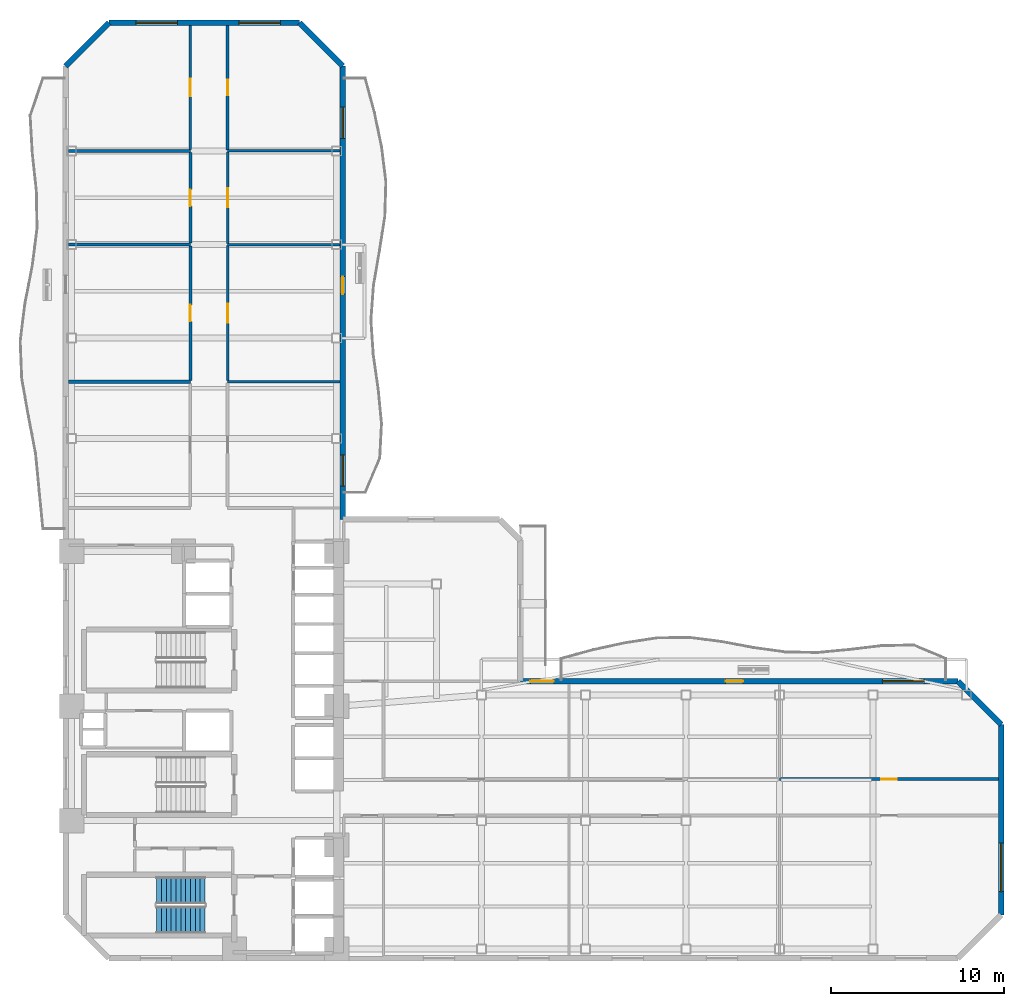
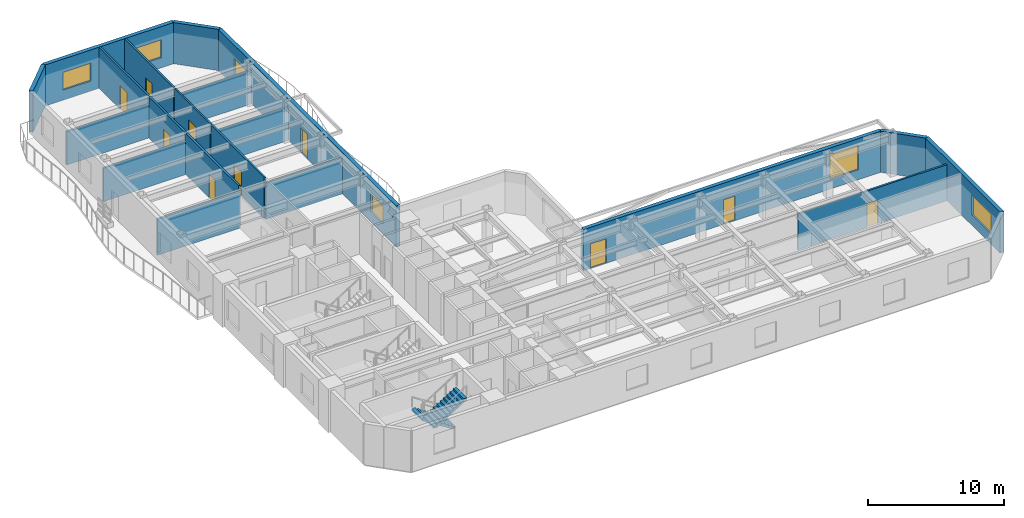
# One storey, part 6 of 11: 20 walls, 10 doors, 6 windows, 2 stair flights, 16 openings, 1 element without a shape of its own.
"""IFC4 building model written with IfcOpenShell, lengths in metres."""

import ifcopenshell
import ifcopenshell.guid

model = None  # the IFC model being written
_history = None  # IfcOwnerHistory: only IFC2X3 demands one
_inside = {}  # id of a spatial element -> (the spatial element, [elements in it])
_under = {}  # id of a project, library or spatial element -> (it, [spatial elements below it])
_declared = {}  # id of a project -> (the project, [libraries it declares])
_typed = {}  # id of a type object -> (the type object, [elements of that type])
_made_of = {}  # id of a material, layer set ... -> (it, [elements and type objects made of it])


def new_model(schema):
    """Start an empty IFC model of exactly this schema.

    Asked for "IFC4X3", IfcOpenShell would pick the latest addendum, in which some entities
    have other attributes; the version numbers below select the first issue.
    IFC2X3 requires an IfcOwnerHistory on every rooted entity: one is made here for all.
    """
    global model, _history
    if schema == "IFC4X3":
        model = ifcopenshell.file(schema_version=(4, 3, 0, 0))
    else:
        model = ifcopenshell.file(schema=schema)
    _inside.clear()
    _under.clear()
    _declared.clear()
    _typed.clear()
    _made_of.clear()
    _history = None
    if model.schema == "IFC2X3":
        org = make("IfcOrganization", Name="unknown")
        user = make(
            "IfcPersonAndOrganization",
            ThePerson=make("IfcPerson", FamilyName="unknown"),
            TheOrganization=org,
        )
        app = make(
            "IfcApplication",
            ApplicationDeveloper=org,
            Version="unknown",
            ApplicationFullName="unknown",
            ApplicationIdentifier="unknown",
        )
        _history = make(
            "IfcOwnerHistory",
            OwningUser=user,
            OwningApplication=app,
            ChangeAction="ADDED",
            CreationDate=0,
        )
    return model


def make(cls, **values):
    """One entity of the class cls with the attributes given. An attribute that is None is left unset."""
    return model.create_entity(
        cls, **{name: value for name, value in values.items() if value is not None}
    )


def rooted(cls, **values):
    """An entity with a GlobalId (a new one), such as an element, a storey or a relation."""
    return make(cls, GlobalId=ifcopenshell.guid.new(), OwnerHistory=_history, **values)


def si_unit(unit_type, name, prefix=None):
    """IfcSIUnit, for example si_unit("LENGTHUNIT", "METRE", prefix="MILLI")."""
    return make("IfcSIUnit", UnitType=unit_type, Prefix=prefix, Name=name)


def assignment(units):
    """IfcUnitAssignment: the units of a project."""
    return None if units is None else make("IfcUnitAssignment", Units=units)


def point(xyz):
    """IfcCartesianPoint."""
    return None if xyz is None else make("IfcCartesianPoint", Coordinates=xyz)


def direction(xyz):
    """IfcDirection."""
    return None if xyz is None else make("IfcDirection", DirectionRatios=xyz)


def frame(location, z_axis=None, x_axis=None):
    """IfcAxis2Placement3D, a coordinate frame: its origin and axes. An axis left out is left unset."""
    return make(
        "IfcAxis2Placement3D",
        Location=point(location),
        Axis=direction(z_axis),
        RefDirection=direction(x_axis),
    )


def frame_2d(location, x_axis=None):
    """IfcAxis2Placement2D, a coordinate frame in the plane: its origin and x axis."""
    return make(
        "IfcAxis2Placement2D", Location=point(location), RefDirection=direction(x_axis)
    )


def origin():
    """The frame at (0, 0, 0) with its axes left unset."""
    return frame((0.0, 0.0, 0.0))


def place(relative_to, where):
    """IfcLocalPlacement: puts the frame where relative to a parent placement (None: the world)."""
    return make(
        "IfcLocalPlacement", PlacementRelTo=relative_to, RelativePlacement=where
    )


def context(
    kind, dimensions, precision=None, world=None, true_north=None, identifier=None
):
    """IfcGeometricRepresentationContext, for example the 3D "Model" context."""
    return make(
        "IfcGeometricRepresentationContext",
        ContextIdentifier=identifier,
        ContextType=kind,
        CoordinateSpaceDimension=dimensions,
        Precision=precision,
        WorldCoordinateSystem=world,
        TrueNorth=true_north,
    )


def subcontext(parent, identifier, kind, view, scale=None):
    """IfcGeometricRepresentationSubContext, for example "Body" below "Model"."""
    return make(
        "IfcGeometricRepresentationSubContext",
        ContextIdentifier=identifier,
        ContextType=kind,
        ParentContext=parent,
        TargetScale=scale,
        TargetView=view,
    )


def project(units=None, contexts=None):
    """IfcProject with its units and contexts."""
    return rooted(
        "IfcProject",
        Name="project",
        RepresentationContexts=contexts,
        UnitsInContext=assignment(units),
    )


def spatial(cls, under=None, at=None, **own):
    """A site, building, storey or space (cls), placed at a placement, below another one or the project."""
    s = rooted(cls, ObjectPlacement=at, **own)
    if under is not None:
        _under.setdefault(under.id(), (under, []))[1].append(s)
    return s


def polyline(points):
    """IfcPolyline through the points."""
    return make("IfcPolyline", Points=[point(p) for p in points])


def profile(cls, at=None, kind="AREA", **sizes):
    """A parametric profile (cls). Its sizes go by their IFC names, for example OverallWidth=200.0."""
    return make(cls, ProfileType=kind, Position=at, **sizes)


def rectangle(**sizes):
    """IfcRectangleProfileDef."""
    return profile("IfcRectangleProfileDef", **sizes)


def outline(outer, holes=None, kind="AREA"):
    """IfcArbitraryClosedProfileDef: a profile drawn as a closed curve; with holes, ...WithVoids."""
    if holes is None:
        return make("IfcArbitraryClosedProfileDef", ProfileType=kind, OuterCurve=outer)
    return make(
        "IfcArbitraryProfileDefWithVoids",
        ProfileType=kind,
        OuterCurve=outer,
        InnerCurves=holes,
    )


def extrude(swept, where, along, depth):
    """IfcExtrudedAreaSolid: the profile swept, set in the frame where, extruded along a direction by depth."""
    return make(
        "IfcExtrudedAreaSolid",
        SweptArea=swept,
        Position=where,
        ExtrudedDirection=direction(along),
        Depth=depth,
    )


def shape(context_of_items, identifier, shape_type, items):
    """IfcShapeRepresentation: the items that make up one representation, for example the "Body"."""
    return make(
        "IfcShapeRepresentation",
        ContextOfItems=context_of_items,
        RepresentationIdentifier=identifier,
        RepresentationType=shape_type,
        Items=items,
    )


def material(Name=None, Category=None):
    """IfcMaterial."""
    return make("IfcMaterial", Name=Name, Category=Category)


def layer(
    of_material, thickness, ventilated=None, Name=None, Category=None, Priority=None
):
    """IfcMaterialLayer: one layer of a wall or slab, of a material (None: an air gap)."""
    return make(
        "IfcMaterialLayer",
        Material=of_material,
        LayerThickness=thickness,
        IsVentilated=ventilated,
        Name=Name,
        Category=Category,
        Priority=Priority,
    )


def layer_set(layers, Name=None):
    """IfcMaterialLayerSet."""
    return make("IfcMaterialLayerSet", MaterialLayers=layers, LayerSetName=Name)


def made_of(thing, what):
    """Note that an element or type object is made of a material, layer set ...; save() writes the relation."""
    if what is not None:
        _made_of.setdefault(what.id(), (what, []))[1].append(thing)
    return thing


def type_object(cls, material=None, **own):
    """A type object (cls), such as IfcWallType, which elements share."""
    return made_of(rooted(cls, **own), material)


def element(
    cls,
    number,
    at=None,
    inside=None,
    cuts=None,
    type_object=None,
    material=None,
    context=None,
    identifier="Body",
    shape_type=None,
    held_by="IfcProductDefinitionShape",
    body=None,
    shapes=None,
    **own,
):
    """One element of the class cls, such as IfcWall. Its Tag is "e" and its number.

    at: its placement. inside: the storey or other place that contains it. cuts: it is an
    opening in that element (IfcRelVoidsElement). A single representation is given by context,
    identifier, shape_type and body (its items); several are given by shapes. held_by: the class
    of the entity that holds the representations. save() writes the other relations.
    """
    e = rooted(cls, Tag="e%d" % number, ObjectPlacement=at, **own)
    if body is not None:
        shapes = [shape(context, identifier, shape_type, body)]
    if shapes is not None:
        e.Representation = make(held_by, Representations=shapes)
    if inside is not None:
        _inside.setdefault(inside.id(), (inside, []))[1].append(e)
    if cuts is not None:
        rooted(
            "IfcRelVoidsElement", RelatingBuildingElement=cuts, RelatedOpeningElement=e
        )
    if type_object is not None:
        _typed.setdefault(type_object.id(), (type_object, []))[1].append(e)
    return made_of(e, material)


def fill(opening, filler):
    """IfcRelFillsElement: the door or window that sits in an opening."""
    return rooted(
        "IfcRelFillsElement",
        RelatingOpeningElement=opening,
        RelatedBuildingElement=filler,
    )


def aggregate(whole, parts):
    """IfcRelAggregates: a whole, such as a stair, and the parts it consists of."""
    return rooted("IfcRelAggregates", RelatingObject=whole, RelatedObjects=parts)


def save(model, path):
    """Write the relations noted so far, then the file.

    IfcRelAggregates (storeys below a building ...), IfcRelContainedInSpatialStructure (elements
    in a storey), IfcRelDefinesByType, IfcRelAssociatesMaterial and IfcRelDeclares: one each for
    every whole, place, type object, material and project.
    """
    for whole, parts in _under.values():
        aggregate(whole, parts)
    for where, things in _inside.values():
        rooted(
            "IfcRelContainedInSpatialStructure",
            RelatedElements=things,
            RelatingStructure=where,
        )
    for kind, things in _typed.values():
        rooted("IfcRelDefinesByType", RelatedObjects=things, RelatingType=kind)
    for what, things in _made_of.values():
        rooted("IfcRelAssociatesMaterial", RelatedObjects=things, RelatingMaterial=what)
    for by, libraries in _declared.values():
        rooted("IfcRelDeclares", RelatingContext=by, RelatedDefinitions=libraries)
    model.write(path)


model = new_model("IFC4")

# Units and contexts
model_context = context("Model", 3, precision=1e-05, world=origin(), true_north=direction((0.0, 1.0)))
body_context = subcontext(model_context, "Body", "Model", "MODEL_VIEW")
ifc_project = project(units=[si_unit("LENGTHUNIT", "METRE"), si_unit("AREAUNIT", "SQUARE_METRE"), si_unit("VOLUMEUNIT", "CUBIC_METRE"), si_unit("PLANEANGLEUNIT", "RADIAN"), si_unit("MASSUNIT", "GRAM", prefix="KILO")], contexts=[model_context])

# Site, building, storey
site_placement = place(None, origin())
site = spatial("IfcSite", under=ifc_project, at=site_placement, CompositionType="ELEMENT")
building_placement = place(site_placement, origin())
building = spatial("IfcBuilding", under=site, at=building_placement, Name="Mawjaban Terraces University", CompositionType="ELEMENT")
storey_placement = place(building_placement, frame((0.0, 0.0, 77.800048828125)))
storey = spatial("IfcBuildingStorey", under=building, at=storey_placement, Name="L18", CompositionType="ELEMENT", Elevation=77.800048828125)

# Walls
ifc_material_1 = material(Name="Acoustic masonry blockwork", Category="masonry")
ifc_layer_1 = layer(ifc_material_1, 0.179931640625)
ifc_layer_set_1 = layer_set([ifc_layer_1], Name="Acoustic masonry blockwork")
wall_type_1 = type_object("IfcWallType", Name="AcousticStudioWall_180", PredefinedType="PARTITIONING", material=ifc_layer_set_1)
wall_1_placement = place(storey_placement, frame((29.199951171875, 33.280029296875, 0.0), z_axis=(0.0, 0.0, 1.0), x_axis=(-1.0, 0.0, 0.0)))
element("IfcWall", 1, at=wall_1_placement, inside=storey, type_object=wall_type_1, Name="L18 Departmental Office 8 Partition 8", PredefinedType="PARTITIONING", context=body_context, shape_type="SweptSolid", body=[
    extrude(rectangle(XDim=7.044921875, YDim=0.179931640625, at=frame_2d((3.5224609375, 0.0))), origin(), (0.0, 0.0, 1.0), 3.22705078125),
])
for number, where, z_axis, x_axis, name in (
    (2, (29.199951171875, 41.199951171875, 0.0), (0.0, 0.0, 1.0), (-1.0, 0.0, 0.0), "L18 Media Workshop 10 Partition 9"),
    (3, (29.199951171875, 46.60009765625, 0.0), (0.0, 0.0, 1.0), (-1.0, 0.0, 0.0), "L18 Design Studio 12 Partition 10"),
):
    element("IfcWall", number, at=place(storey_placement, frame(where, z_axis=z_axis, x_axis=x_axis)), inside=storey, type_object=wall_type_1, Name=name, PredefinedType="PARTITIONING", context=body_context, shape_type="SweptSolid", body=[
        extrude(rectangle(XDim=7.044921875, YDim=0.179931640625, at=frame_2d((3.5224609375, 0.0))), origin(), (0.0, 0.0, 1.0), 2.994873046875),
    ])

# Wall, opening, door
wall_2_placement = place(storey_placement, frame((29.199951171875, 41.114990234375, 0.0), z_axis=(0.0, 0.0, 1.0), x_axis=(0.0, -1.0, 0.0)))
wall_2 = element("IfcWall", 4, at=wall_2_placement, inside=storey, type_object=wall_type_1, Name="L18 North Academic Spine Corridor Partition 33", PredefinedType="PARTITIONING", context=body_context, shape_type="SweptSolid", body=[
    extrude(rectangle(XDim=7.75, YDim=0.179931640625, at=frame_2d((3.875, 0.0))), origin(), (0.0, 0.0, 1.0), 3.68994140625),
])
opening_1_placement = place(wall_2_placement, frame((3.39990234375, 0.0, 0.0)))
opening_1 = element("IfcOpeningElement", 5, at=opening_1_placement, cuts=wall_2, Name="Opening ID-095", PredefinedType="OPENING", context=body_context, shape_type="SweptSolid", body=[
    extrude(rectangle(XDim=0.949951171875, YDim=2.10009765625, at=frame_2d((0.47509765625, 1.050048828125))), frame((0.0, 0.099853515625, 0.0), z_axis=(0.0, -1.0, 0.0), x_axis=(1.0, 0.0, 0.0)), (0.0, 0.0, 1.0), 0.199951171875),
])
ifc_material_2 = material(Name="Powder-coated steel frame and solid acoustic timber leaf", Category="steel")
door_type_1 = type_object("IfcDoorType", Name="StudioDoor_950x2100", OperationType="NOTDEFINED", PredefinedType="DOOR", material=ifc_material_2)
door_1_placement = place(opening_1_placement, origin())
door_1 = element("IfcDoor", 6, at=door_1_placement, inside=storey, type_object=door_type_1, Name="L18 Media Workshop 10 Door", OperationType="SINGLE_SWING_LEFT", OverallHeight=2.10009765625, OverallWidth=0.949951171875, PredefinedType="DOOR", context=body_context, shape_type="SweptSolid", body=[
    extrude(rectangle(XDim=0.949951171875, YDim=2.10009765625, at=frame_2d((0.47509765625, 1.050048828125))), frame((0.0, 0.02490234375, 0.0), z_axis=(0.0, -1.0, 0.0), x_axis=(1.0, 0.0, 0.0)), (0.0, 0.0, 1.0), 0.050048828125),
])
fill(opening_1, door_1)

wall_3_placement = place(storey_placement, frame((29.199951171875, 46.514892578125, 0.0), z_axis=(0.0, 0.0, 1.0), x_axis=(0.0, -1.0, 0.0)))
wall_3 = element("IfcWall", 7, at=wall_3_placement, inside=storey, type_object=wall_type_1, Name="L18 North Academic Spine Corridor Partition 34", PredefinedType="PARTITIONING", context=body_context, shape_type="SweptSolid", body=[
    extrude(rectangle(XDim=5.22998046875, YDim=0.179931640625, at=frame_2d((2.614990234375, 0.0))), origin(), (0.0, 0.0, 1.0), 3.68994140625),
])
opening_2_placement = place(wall_3_placement, frame((2.139892578125, 0.0, 0.0)))
opening_2 = element("IfcOpeningElement", 8, at=opening_2_placement, cuts=wall_3, Name="Opening ID-095", PredefinedType="OPENING", context=body_context, shape_type="SweptSolid", body=[
    extrude(rectangle(XDim=0.949951171875, YDim=2.10009765625, at=frame_2d((0.47509765625, 1.050048828125))), frame((0.0, 0.099853515625, 0.0), z_axis=(0.0, -1.0, 0.0), x_axis=(1.0, 0.0, 0.0)), (0.0, 0.0, 1.0), 0.199951171875),
])
door_2_placement = place(opening_2_placement, origin())
door_2 = element("IfcDoor", 9, at=door_2_placement, inside=storey, type_object=door_type_1, Name="L18 Design Studio 12 Door", OperationType="SINGLE_SWING_LEFT", OverallHeight=2.10009765625, OverallWidth=0.949951171875, PredefinedType="DOOR", context=body_context, shape_type="SweptSolid", body=[
    extrude(rectangle(XDim=0.949951171875, YDim=2.10009765625, at=frame_2d((0.47509765625, 1.050048828125))), frame((0.0, 0.02490234375, 0.0), z_axis=(0.0, -1.0, 0.0), x_axis=(1.0, 0.0, 0.0)), (0.0, 0.0, 1.0), 0.050048828125),
])
fill(opening_2, door_2)

ifc_material_3 = material(Name="Fire-rated gypsum board on steel stud", Category="steel")
ifc_layer_2 = layer(ifc_material_3, 0.159912109375)
ifc_layer_set_2 = layer_set([ifc_layer_2], Name="Fire-rated gypsum board on steel stud")
wall_type_2 = type_object("IfcWallType", Name="CorridorPartition_160", PredefinedType="PARTITIONING", material=ifc_layer_set_2)
wall_4_placement = place(storey_placement, frame((75.844970703125, 10.35009765625, 0.0), z_axis=(0.0, 0.0, 1.0), x_axis=(-1.0, 0.0, 0.0)))
wall_4 = element("IfcWall", 10, at=wall_4_placement, inside=storey, type_object=wall_type_2, Name="L18 East Academic Spine Corridor Partition 26", PredefinedType="PARTITIONING", context=body_context, shape_type="SweptSolid", body=[
    extrude(rectangle(XDim=12.64501953125, YDim=0.159912109375, at=frame_2d((6.322509765625, 0.0))), origin(), (0.0, 0.0, 1.0), 3.22705078125),
])
opening_3_placement = place(wall_4_placement, frame((5.8720703125, 0.0, 0.0)))
opening_3 = element("IfcOpeningElement", 11, at=opening_3_placement, cuts=wall_4, Name="Opening ID-090", PredefinedType="OPENING", context=body_context, shape_type="SweptSolid", body=[
    extrude(rectangle(XDim=0.89990234375, YDim=2.10009765625, at=frame_2d((0.449951171875, 1.050048828125))), frame((0.0, 0.08984375, 0.0), z_axis=(0.0, -1.0, 0.0), x_axis=(1.0, 0.0, 0.0)), (0.0, 0.0, 1.0), 0.179931640625),
])
door_type_2 = type_object("IfcDoorType", Name="OfficeDoor_900x2100", OperationType="NOTDEFINED", PredefinedType="DOOR", material=ifc_material_2)
door_3_placement = place(opening_3_placement, origin())
door_3 = element("IfcDoor", 12, at=door_3_placement, inside=storey, type_object=door_type_2, Name="L18 Faculty Office 7 Door", OperationType="SINGLE_SWING_RIGHT", OverallHeight=2.10009765625, OverallWidth=0.89990234375, PredefinedType="DOOR", context=body_context, shape_type="SweptSolid", body=[
    extrude(rectangle(XDim=0.89990234375, YDim=2.10009765625, at=frame_2d((0.449951171875, 1.050048828125))), frame((0.0, 0.02490234375, 0.0), z_axis=(0.0, -1.0, 0.0), x_axis=(1.0, 0.0, 0.0)), (0.0, 0.0, 1.0), 0.050048828125),
])
fill(opening_3, door_3)

wall_5_placement = place(storey_placement, frame((29.199951171875, 53.844970703125, 0.0), z_axis=(0.0, 0.0, 1.0), x_axis=(0.0, -1.0, 0.0)))
wall_5 = element("IfcWall", 13, at=wall_5_placement, inside=storey, type_object=wall_type_2, Name="L18 North Academic Spine Corridor Partition 35", PredefinedType="PARTITIONING", context=body_context, shape_type="SweptSolid", body=[
    extrude(rectangle(XDim=7.159912109375, YDim=0.159912109375, at=frame_2d((3.580078125, 0.0))), origin(), (0.0, 0.0, 1.0), 3.68994140625),
])
opening_4_placement = place(wall_5_placement, frame((3.080078125, 0.0, 0.0)))
opening_4 = element("IfcOpeningElement", 14, at=opening_4_placement, cuts=wall_5, Name="Opening ID-100", PredefinedType="OPENING", context=body_context, shape_type="SweptSolid", body=[
    extrude(rectangle(XDim=1.0, YDim=2.10009765625, at=frame_2d((0.5, 1.050048828125))), frame((0.0, 0.08984375, 0.0), z_axis=(0.0, -1.0, 0.0), x_axis=(1.0, 0.0, 0.0)), (0.0, 0.0, 1.0), 0.179931640625),
])
door_type_3 = type_object("IfcDoorType", Name="ClassroomDoor_1000x2100", OperationType="NOTDEFINED", PredefinedType="DOOR", material=ifc_material_2)
door_4_placement = place(opening_4_placement, origin())
door_4 = element("IfcDoor", 15, at=door_4_placement, inside=storey, type_object=door_type_3, Name="L18 Classroom 14 Door", OperationType="SINGLE_SWING_LEFT", OverallHeight=2.10009765625, OverallWidth=1.0, PredefinedType="DOOR", context=body_context, shape_type="SweptSolid", body=[
    extrude(rectangle(XDim=1.0, YDim=2.10009765625, at=frame_2d((0.5, 1.050048828125))), frame((0.0, 0.02490234375, 0.0), z_axis=(0.0, -1.0, 0.0), x_axis=(1.0, 0.0, 0.0)), (0.0, 0.0, 1.0), 0.050048828125),
])
fill(opening_4, door_4)

wall_6_placement = place(storey_placement, frame((31.35009765625, 46.66796875, 0.0), z_axis=(0.0, 0.0, 1.0), x_axis=(0.0, 1.0, 0.0)))
wall_6 = element("IfcWall", 16, at=wall_6_placement, inside=storey, type_object=wall_type_2, Name="L18 North Academic Spine Corridor Partition 39", PredefinedType="PARTITIONING", context=body_context, shape_type="SweptSolid", body=[
    extrude(rectangle(XDim=7.177001953125, YDim=0.159912109375, at=frame_2d((3.58837890625, 0.0))), origin(), (0.0, 0.0, 1.0), 3.68994140625),
])
opening_5_placement = place(wall_6_placement, frame((3.137939453125, 0.0, 0.0)))
opening_5 = element("IfcOpeningElement", 17, at=opening_5_placement, cuts=wall_6, Name="Opening ID-090", PredefinedType="OPENING", context=body_context, shape_type="SweptSolid", body=[
    extrude(rectangle(XDim=0.89990234375, YDim=2.10009765625, at=frame_2d((0.449951171875, 1.050048828125))), frame((0.0, 0.08984375, 0.0), z_axis=(0.0, -1.0, 0.0), x_axis=(1.0, 0.0, 0.0)), (0.0, 0.0, 1.0), 0.179931640625),
])
door_5_placement = place(opening_5_placement, origin())
door_5 = element("IfcDoor", 18, at=door_5_placement, inside=storey, type_object=door_type_2, Name="L18 Academic Counseling Room 15 Door", OperationType="SINGLE_SWING_RIGHT", OverallHeight=2.10009765625, OverallWidth=0.89990234375, PredefinedType="DOOR", context=body_context, shape_type="SweptSolid", body=[
    extrude(rectangle(XDim=0.89990234375, YDim=2.10009765625, at=frame_2d((0.449951171875, 1.050048828125))), frame((0.0, 0.02490234375, 0.0), z_axis=(0.0, -1.0, 0.0), x_axis=(1.0, 0.0, 0.0)), (0.0, 0.0, 1.0), 0.050048828125),
])
fill(opening_5, door_5)

# Wall, opening, window
ifc_material_4 = material(Name="Insulated terracotta rainscreen on concrete backup C40/50", Category="masonry")
ifc_layer_3 = layer(ifc_material_4, 0.320068359375)
ifc_layer_set_3 = layer_set([ifc_layer_3], Name="Insulated terracotta rainscreen on concrete backup C40/50")
wall_type_3 = type_object("IfcWallType", Name="ExtTerracottaWall_320", PredefinedType="SOLIDWALL", material=ifc_layer_set_3)
wall_7_placement = place(storey_placement, frame((76.0, 2.5, 0.0), z_axis=(0.0, 0.0, 1.0), x_axis=(0.0, 1.0, 0.0)))
wall_7 = element("IfcWall", 19, at=wall_7_placement, inside=storey, type_object=wall_type_3, Name="L18 Exterior Terracotta Wall 3", PredefinedType="SOLIDWALL", context=body_context, shape_type="SweptSolid", body=[
    extrude(rectangle(XDim=11.0, YDim=0.320068359375, at=frame_2d((5.5, 0.0))), origin(), (0.0, 0.0, 1.0), 3.68994140625),
])
opening_6_placement = place(wall_7_placement, frame((1.35009765625, 0.0, 0.89990234375)))
opening_6 = element("IfcOpeningElement", 20, at=opening_6_placement, cuts=wall_7, Name="Opening W-09", PredefinedType="OPENING", context=body_context, shape_type="SweptSolid", body=[
    extrude(rectangle(XDim=2.800048828125, YDim=1.800048828125, at=frame_2d((1.39990234375, 0.89990234375))), frame((0.0, 0.169921875, 0.0), z_axis=(0.0, -1.0, 0.0), x_axis=(1.0, 0.0, 0.0)), (0.0, 0.0, 1.0), 0.340087890625),
])
ifc_material_5 = material(Name="Low-E solar-control double glazing in thermally broken aluminium frame", Category="aluminium")
window_type_1 = type_object("IfcWindowType", Name="Win_2800x1800", PartitioningType="SINGLE_PANEL", PredefinedType="WINDOW", material=ifc_material_5)
window_1_placement = place(opening_6_placement, origin())
window_1 = element("IfcWindow", 21, at=window_1_placement, inside=storey, type_object=window_type_1, Name="L18 Facade Window 3.1", OverallHeight=1.800048828125, OverallWidth=2.800048828125, PartitioningType="SINGLE_PANEL", PredefinedType="WINDOW", context=body_context, shape_type="SweptSolid", body=[
    extrude(rectangle(XDim=2.800048828125, YDim=1.800048828125, at=frame_2d((1.39990234375, 0.89990234375))), frame((0.0, 0.030029296875, 0.0), z_axis=(0.0, -1.0, 0.0), x_axis=(1.0, 0.0, 0.0)), (0.0, 0.0, 1.0), 0.06005859375),
])
fill(opening_6, window_1)

# Wall
wall_8_placement = place(storey_placement, frame((76.0, 13.5, 0.0), z_axis=(0.0, 0.0, 1.0), x_axis=(-0.707106781187, 0.707106781187, 0.0)))
element("IfcWall", 22, at=wall_8_placement, inside=storey, type_object=wall_type_3, Name="L18 Exterior Terracotta Wall 4", PredefinedType="SOLIDWALL", context=body_context, shape_type="SweptSolid", body=[
    extrude(rectangle(XDim=3.53564453125, YDim=0.320068359375, at=frame_2d((1.767822265625, 0.0))), origin(), (0.0, 0.0, 1.0), 3.68994140625),
])

# Wall, openings, doors, window
wall_9_placement = place(storey_placement, frame((73.5, 16.0, 0.0), z_axis=(0.0, 0.0, 1.0), x_axis=(-1.0, 0.0, 0.0)))
wall_9 = element("IfcWall", 23, at=wall_9_placement, inside=storey, type_object=wall_type_3, Name="L18 Exterior Terracotta Wall 5", PredefinedType="SOLIDWALL", context=body_context, shape_type="SweptSolid", body=[
    extrude(rectangle(XDim=25.25, YDim=0.320068359375, at=frame_2d((12.625, 0.0))), origin(), (0.0, 0.0, 1.0), 3.68994140625),
])
opening_7_placement = place(wall_9_placement, frame((12.39990234375, 0.0, 0.0)))
opening_7 = element("IfcOpeningElement", 24, at=opening_7_placement, cuts=wall_9, Name="Opening BD-100", PredefinedType="OPENING", context=body_context, shape_type="SweptSolid", body=[
    extrude(rectangle(XDim=1.0, YDim=2.199951171875, at=frame_2d((0.5, 1.10009765625))), frame((0.0, 0.169921875, 0.0), z_axis=(0.0, -1.0, 0.0), x_axis=(1.0, 0.0, 0.0)), (0.0, 0.0, 1.0), 0.340087890625),
])
opening_8_placement = place(wall_9_placement, frame((23.324951171875, 0.0, 0.0)))
opening_8 = element("IfcOpeningElement", 25, at=opening_8_placement, cuts=wall_9, Name="Opening TD-135", PredefinedType="OPENING", context=body_context, shape_type="SweptSolid", body=[
    extrude(rectangle(XDim=1.35009765625, YDim=2.199951171875, at=frame_2d((0.675048828125, 1.10009765625))), frame((0.0, 0.169921875, 0.0), z_axis=(0.0, -1.0, 0.0), x_axis=(1.0, 0.0, 0.0)), (0.0, 0.0, 1.0), 0.340087890625),
])
opening_9_placement = place(wall_9_placement, frame((1.9560546875, 0.0, 0.89990234375)))
opening_9 = element("IfcOpeningElement", 26, at=opening_9_placement, cuts=wall_9, Name="Opening W-11", PredefinedType="OPENING", context=body_context, shape_type="SweptSolid", body=[
    extrude(rectangle(XDim=2.39990234375, YDim=2.199951171875, at=frame_2d((1.199951171875, 1.10009765625))), frame((0.0, 0.169921875, 0.0), z_axis=(0.0, -1.0, 0.0), x_axis=(1.0, 0.0, 0.0)), (0.0, 0.0, 1.0), 0.340087890625),
])
ifc_material_6 = material(Name="Thermally broken anodised aluminium and laminated safety glass", Category="aluminium")
door_type_4 = type_object("IfcDoorType", Name="BalconyGlazedDoor_1000x2200", OperationType="NOTDEFINED", PredefinedType="DOOR", material=ifc_material_6)
door_6_placement = place(opening_7_placement, origin())
door_6 = element("IfcDoor", 27, at=door_6_placement, inside=storey, type_object=door_type_4, Name="L18 Balcony Access Door inner_north", OperationType="SINGLE_SWING_LEFT", OverallHeight=2.199951171875, OverallWidth=1.0, PredefinedType="DOOR", context=body_context, shape_type="SweptSolid", body=[
    extrude(rectangle(XDim=1.0, YDim=2.199951171875, at=frame_2d((0.5, 1.10009765625))), frame((0.0, 0.02490234375, 0.0), z_axis=(0.0, -1.0, 0.0), x_axis=(1.0, 0.0, 0.0)), (0.0, 0.0, 1.0), 0.050048828125),
])
fill(opening_7, door_6)
door_type_5 = type_object("IfcDoorType", Name="TerraceGlazedDoor_1350x2200", OperationType="NOTDEFINED", PredefinedType="DOOR", material=ifc_material_6)
door_7_placement = place(opening_8_placement, origin())
door_7 = element("IfcDoor", 28, at=door_7_placement, inside=storey, type_object=door_type_5, Name="L18 Terrace Access Door TER-L18-CLIMB", OperationType="SINGLE_SWING_RIGHT", OverallHeight=2.199951171875, OverallWidth=1.35009765625, PredefinedType="DOOR", context=body_context, shape_type="SweptSolid", body=[
    extrude(rectangle(XDim=1.35009765625, YDim=2.199951171875, at=frame_2d((0.675048828125, 1.10009765625))), frame((0.0, 0.02490234375, 0.0), z_axis=(0.0, -1.0, 0.0), x_axis=(1.0, 0.0, 0.0)), (0.0, 0.0, 1.0), 0.050048828125),
])
fill(opening_8, door_7)
window_type_2 = type_object("IfcWindowType", Name="Win_2400x2200", PartitioningType="SINGLE_PANEL", PredefinedType="WINDOW", material=ifc_material_5)
window_2_placement = place(opening_9_placement, origin())
window_2 = element("IfcWindow", 29, at=window_2_placement, inside=storey, type_object=window_type_2, Name="L18 Facade Window 5.1", OverallHeight=2.199951171875, OverallWidth=2.39990234375, PartitioningType="SINGLE_PANEL", PredefinedType="WINDOW", context=body_context, shape_type="SweptSolid", body=[
    extrude(rectangle(XDim=2.39990234375, YDim=2.199951171875, at=frame_2d((1.199951171875, 1.10009765625))), frame((0.0, 0.030029296875, 0.0), z_axis=(0.0, -1.0, 0.0), x_axis=(1.0, 0.0, 0.0)), (0.0, 0.0, 1.0), 0.06005859375),
])
fill(opening_9, window_2)

# Wall, openings, door, windows
wall_10_placement = place(storey_placement, frame((38.0, 25.3369140625, 0.0), z_axis=(0.0, 0.0, 1.0), x_axis=(0.0, 1.0, 0.0)))
wall_10 = element("IfcWall", 30, at=wall_10_placement, inside=storey, type_object=wall_type_3, Name="L18 Exterior Terracotta Wall 9", PredefinedType="SOLIDWALL", context=body_context, shape_type="SweptSolid", body=[
    extrude(rectangle(XDim=26.1630859375, YDim=0.320068359375, at=frame_2d((13.08154296875, 0.0))), origin(), (0.0, 0.0, 1.0), 3.68994140625),
])
opening_10_placement = place(wall_10_placement, frame((13.008056640625, 0.0, 0.0)))
opening_10 = element("IfcOpeningElement", 31, at=opening_10_placement, cuts=wall_10, Name="Opening BD-100", PredefinedType="OPENING", context=body_context, shape_type="SweptSolid", body=[
    extrude(rectangle(XDim=1.0, YDim=2.199951171875, at=frame_2d((0.5, 1.10009765625))), frame((0.0, 0.169921875, 0.0), z_axis=(0.0, -1.0, 0.0), x_axis=(1.0, 0.0, 0.0)), (0.0, 0.0, 1.0), 0.340087890625),
])
opening_11_placement = place(wall_10_placement, frame((1.919921875, 0.0, 0.89990234375)))
opening_11 = element("IfcOpeningElement", 32, at=opening_11_placement, cuts=wall_10, Name="Opening W-03", PredefinedType="OPENING", context=body_context, shape_type="SweptSolid", body=[
    extrude(rectangle(XDim=1.800048828125, YDim=1.60009765625, at=frame_2d((0.89990234375, 0.800048828125))), frame((0.0, 0.169921875, 0.0), z_axis=(0.0, -1.0, 0.0), x_axis=(1.0, 0.0, 0.0)), (0.0, 0.0, 1.0), 0.340087890625),
])
opening_12_placement = place(wall_10_placement, frame((21.992919921875, 0.0, 0.89990234375)))
opening_12 = element("IfcOpeningElement", 33, at=opening_12_placement, cuts=wall_10, Name="Opening W-03", PredefinedType="OPENING", context=body_context, shape_type="SweptSolid", body=[
    extrude(rectangle(XDim=1.800048828125, YDim=1.60009765625, at=frame_2d((0.89990234375, 0.800048828125))), frame((0.0, 0.169921875, 0.0), z_axis=(0.0, -1.0, 0.0), x_axis=(1.0, 0.0, 0.0)), (0.0, 0.0, 1.0), 0.340087890625),
])
door_8_placement = place(opening_10_placement, origin())
door_8 = element("IfcDoor", 34, at=door_8_placement, inside=storey, type_object=door_type_4, Name="L18 Balcony Access Door inner_east", OperationType="SINGLE_SWING_LEFT", OverallHeight=2.199951171875, OverallWidth=1.0, PredefinedType="DOOR", context=body_context, shape_type="SweptSolid", body=[
    extrude(rectangle(XDim=1.0, YDim=2.199951171875, at=frame_2d((0.5, 1.10009765625))), frame((0.0, 0.02490234375, 0.0), z_axis=(0.0, -1.0, 0.0), x_axis=(1.0, 0.0, 0.0)), (0.0, 0.0, 1.0), 0.050048828125),
])
fill(opening_10, door_8)
window_type_3 = type_object("IfcWindowType", Name="Win_1800x1600", PartitioningType="SINGLE_PANEL", PredefinedType="WINDOW", material=ifc_material_5)
window_3_placement = place(opening_11_placement, origin())
window_3 = element("IfcWindow", 35, at=window_3_placement, inside=storey, type_object=window_type_3, Name="L18 Facade Window 9.1", OverallHeight=1.60009765625, OverallWidth=1.800048828125, PartitioningType="SINGLE_PANEL", PredefinedType="WINDOW", context=body_context, shape_type="SweptSolid", body=[
    extrude(rectangle(XDim=1.800048828125, YDim=1.60009765625, at=frame_2d((0.89990234375, 0.800048828125))), frame((0.0, 0.030029296875, 0.0), z_axis=(0.0, -1.0, 0.0), x_axis=(1.0, 0.0, 0.0)), (0.0, 0.0, 1.0), 0.06005859375),
])
fill(opening_11, window_3)
window_4_placement = place(opening_12_placement, origin())
window_4 = element("IfcWindow", 36, at=window_4_placement, inside=storey, type_object=window_type_3, Name="L18 Facade Window 9.4", OverallHeight=1.60009765625, OverallWidth=1.800048828125, PartitioningType="SINGLE_PANEL", PredefinedType="WINDOW", context=body_context, shape_type="SweptSolid", body=[
    extrude(rectangle(XDim=1.800048828125, YDim=1.60009765625, at=frame_2d((0.89990234375, 0.800048828125))), frame((0.0, 0.030029296875, 0.0), z_axis=(0.0, -1.0, 0.0), x_axis=(1.0, 0.0, 0.0)), (0.0, 0.0, 1.0), 0.06005859375),
])
fill(opening_12, window_4)

# Wall
wall_11_placement = place(storey_placement, frame((38.0, 51.5, 0.0), z_axis=(0.0, 0.0, 1.0), x_axis=(-0.707106781187, 0.707106781187, 0.0)))
element("IfcWall", 37, at=wall_11_placement, inside=storey, type_object=wall_type_3, Name="L18 Exterior Terracotta Wall 10", PredefinedType="SOLIDWALL", context=body_context, shape_type="SweptSolid", body=[
    extrude(rectangle(XDim=3.53564453125, YDim=0.320068359375, at=frame_2d((1.767822265625, 0.0))), origin(), (0.0, 0.0, 1.0), 3.68994140625),
])

# Wall, openings, windows
wall_12_placement = place(storey_placement, frame((35.5, 54.0, 0.0), z_axis=(0.0, 0.0, 1.0), x_axis=(-1.0, 0.0, 0.0)))
wall_12 = element("IfcWall", 38, at=wall_12_placement, inside=storey, type_object=wall_type_3, Name="L18 Exterior Terracotta Wall 11", PredefinedType="SOLIDWALL", context=body_context, shape_type="SweptSolid", body=[
    extrude(rectangle(XDim=11.0, YDim=0.320068359375, at=frame_2d((5.5, 0.0))), origin(), (0.0, 0.0, 1.0), 3.68994140625),
])
opening_13_placement = place(wall_12_placement, frame((1.10009765625, 0.0, 0.89990234375)))
opening_13 = element("IfcOpeningElement", 39, at=opening_13_placement, cuts=wall_12, Name="Opening W-05", PredefinedType="OPENING", context=body_context, shape_type="SweptSolid", body=[
    extrude(rectangle(XDim=2.39990234375, YDim=1.60009765625, at=frame_2d((1.199951171875, 0.800048828125))), frame((0.0, 0.169921875, 0.0), z_axis=(0.0, -1.0, 0.0), x_axis=(1.0, 0.0, 0.0)), (0.0, 0.0, 1.0), 0.340087890625),
])
opening_14_placement = place(wall_12_placement, frame((7.050048828125, 0.0, 0.89990234375)))
opening_14 = element("IfcOpeningElement", 40, at=opening_14_placement, cuts=wall_12, Name="Opening W-05", PredefinedType="OPENING", context=body_context, shape_type="SweptSolid", body=[
    extrude(rectangle(XDim=2.39990234375, YDim=1.60009765625, at=frame_2d((1.199951171875, 0.800048828125))), frame((0.0, 0.169921875, 0.0), z_axis=(0.0, -1.0, 0.0), x_axis=(1.0, 0.0, 0.0)), (0.0, 0.0, 1.0), 0.340087890625),
])
window_type_4 = type_object("IfcWindowType", Name="Win_2400x1600", PartitioningType="SINGLE_PANEL", PredefinedType="WINDOW", material=ifc_material_5)
window_5_placement = place(opening_13_placement, origin())
window_5 = element("IfcWindow", 41, at=window_5_placement, inside=storey, type_object=window_type_4, Name="L18 Facade Window 11.1", OverallHeight=1.60009765625, OverallWidth=2.39990234375, PartitioningType="SINGLE_PANEL", PredefinedType="WINDOW", context=body_context, shape_type="SweptSolid", body=[
    extrude(rectangle(XDim=2.39990234375, YDim=1.60009765625, at=frame_2d((1.199951171875, 0.800048828125))), frame((0.0, 0.030029296875, 0.0), z_axis=(0.0, -1.0, 0.0), x_axis=(1.0, 0.0, 0.0)), (0.0, 0.0, 1.0), 0.06005859375),
])
fill(opening_13, window_5)
window_6_placement = place(opening_14_placement, origin())
window_6 = element("IfcWindow", 42, at=window_6_placement, inside=storey, type_object=window_type_4, Name="L18 Facade Window 11.2", OverallHeight=1.60009765625, OverallWidth=2.39990234375, PartitioningType="SINGLE_PANEL", PredefinedType="WINDOW", context=body_context, shape_type="SweptSolid", body=[
    extrude(rectangle(XDim=2.39990234375, YDim=1.60009765625, at=frame_2d((1.199951171875, 0.800048828125))), frame((0.0, 0.030029296875, 0.0), z_axis=(0.0, -1.0, 0.0), x_axis=(1.0, 0.0, 0.0)), (0.0, 0.0, 1.0), 0.06005859375),
])
fill(opening_14, window_6)

# Walls
wall_13_placement = place(storey_placement, frame((24.5, 54.0, 0.0), z_axis=(0.0, 0.0, 1.0), x_axis=(-0.707106781187, -0.707106781187, 0.0)))
element("IfcWall", 43, at=wall_13_placement, inside=storey, type_object=wall_type_3, Name="L18 Exterior Terracotta Wall 12", PredefinedType="SOLIDWALL", context=body_context, shape_type="SweptSolid", body=[
    extrude(rectangle(XDim=3.53564453125, YDim=0.320068359375, at=frame_2d((1.767822265625, 0.0))), origin(), (0.0, 0.0, 1.0), 3.68994140625),
])
ifc_material_7 = material(Name="Moisture-resistant gypsum board on steel stud", Category="steel")
ifc_layer_4 = layer(ifc_material_7, 0.14501953125)
ifc_layer_set_4 = layer_set([ifc_layer_4], Name="Moisture-resistant gypsum board on steel stud")
wall_type_4 = type_object("IfcWallType", Name="LabPartition_145", PredefinedType="PARTITIONING", material=ifc_layer_set_4)
wall_14_placement = place(storey_placement, frame((37.844970703125, 33.280029296875, 0.0), z_axis=(0.0, 0.0, 1.0), x_axis=(-1.0, 0.0, 0.0)))
element("IfcWall", 44, at=wall_14_placement, inside=storey, type_object=wall_type_4, Name="L18 Quiet Reading Room 9 Partition 15", PredefinedType="PARTITIONING", context=body_context, shape_type="SweptSolid", body=[
    extrude(rectangle(XDim=6.494873046875, YDim=0.14501953125, at=frame_2d((3.24755859375, 0.0))), origin(), (0.0, 0.0, 1.0), 3.22705078125),
])
for number, where, z_axis, x_axis, name in (
    (45, (37.844970703125, 41.199951171875, 0.0), (0.0, 0.0, 1.0), (-1.0, 0.0, 0.0), "L18 Teaching Laboratory 11 Partition 16"),
    (46, (37.844970703125, 46.60009765625, 0.0), (0.0, 0.0, 1.0), (-1.0, 0.0, 0.0), "L18 Computational Laboratory 13 Partition 17"),
):
    element("IfcWall", number, at=place(storey_placement, frame(where, z_axis=z_axis, x_axis=x_axis)), inside=storey, type_object=wall_type_4, Name=name, PredefinedType="PARTITIONING", context=body_context, shape_type="SweptSolid", body=[
        extrude(rectangle(XDim=6.494873046875, YDim=0.14501953125, at=frame_2d((3.24755859375, 0.0))), origin(), (0.0, 0.0, 1.0), 2.994873046875),
    ])

# Wall, opening, door
wall_15_placement = place(storey_placement, frame((31.35009765625, 33.347900390625, 0.0), z_axis=(0.0, 0.0, 1.0), x_axis=(0.0, 1.0, 0.0)))
wall_15 = element("IfcWall", 47, at=wall_15_placement, inside=storey, type_object=wall_type_4, Name="L18 North Academic Spine Corridor Partition 37", PredefinedType="PARTITIONING", context=body_context, shape_type="SweptSolid", body=[
    extrude(rectangle(XDim=7.78515625, YDim=0.14501953125, at=frame_2d((3.892578125, 0.0))), origin(), (0.0, 0.0, 1.0), 3.68994140625),
])
opening_15_placement = place(wall_15_placement, frame((3.343017578125, 0.0, 0.0)))
opening_15 = element("IfcOpeningElement", 48, at=opening_15_placement, cuts=wall_15, Name="Opening ID-110", PredefinedType="OPENING", context=body_context, shape_type="SweptSolid", body=[
    extrude(rectangle(XDim=1.10009765625, YDim=2.14990234375, at=frame_2d((0.550048828125, 1.074951171875))), frame((0.0, 0.08251953125, 0.0), z_axis=(0.0, -1.0, 0.0), x_axis=(1.0, 0.0, 0.0)), (0.0, 0.0, 1.0), 0.1650390625),
])
door_type_6 = type_object("IfcDoorType", Name="LabDoor_1100x2150", OperationType="NOTDEFINED", PredefinedType="DOOR", material=ifc_material_2)
door_9_placement = place(opening_15_placement, origin())
door_9 = element("IfcDoor", 49, at=door_9_placement, inside=storey, type_object=door_type_6, Name="L18 Teaching Laboratory 11 Door", OperationType="SINGLE_SWING_RIGHT", OverallHeight=2.14990234375, OverallWidth=1.10009765625, PredefinedType="DOOR", context=body_context, shape_type="SweptSolid", body=[
    extrude(rectangle(XDim=1.10009765625, YDim=2.14990234375, at=frame_2d((0.550048828125, 1.074951171875))), frame((0.0, 0.02490234375, 0.0), z_axis=(0.0, -1.0, 0.0), x_axis=(1.0, 0.0, 0.0)), (0.0, 0.0, 1.0), 0.050048828125),
])
fill(opening_15, door_9)

wall_16_placement = place(storey_placement, frame((31.35009765625, 41.26806640625, 0.0), z_axis=(0.0, 0.0, 1.0), x_axis=(0.0, 1.0, 0.0)))
wall_16 = element("IfcWall", 50, at=wall_16_placement, inside=storey, type_object=wall_type_4, Name="L18 North Academic Spine Corridor Partition 38", PredefinedType="PARTITIONING", context=body_context, shape_type="SweptSolid", body=[
    extrude(rectangle(XDim=5.263916015625, YDim=0.14501953125, at=frame_2d((2.6318359375, 0.0))), origin(), (0.0, 0.0, 1.0), 3.68994140625),
])
opening_16_placement = place(wall_16_placement, frame((2.08203125, 0.0, 0.0)))
opening_16 = element("IfcOpeningElement", 51, at=opening_16_placement, cuts=wall_16, Name="Opening ID-110", PredefinedType="OPENING", context=body_context, shape_type="SweptSolid", body=[
    extrude(rectangle(XDim=1.10009765625, YDim=2.14990234375, at=frame_2d((0.550048828125, 1.074951171875))), frame((0.0, 0.08251953125, 0.0), z_axis=(0.0, -1.0, 0.0), x_axis=(1.0, 0.0, 0.0)), (0.0, 0.0, 1.0), 0.1650390625),
])
door_10_placement = place(opening_16_placement, origin())
door_10 = element("IfcDoor", 52, at=door_10_placement, inside=storey, type_object=door_type_6, Name="L18 Computational Laboratory 13 Door", OperationType="SINGLE_SWING_RIGHT", OverallHeight=2.14990234375, OverallWidth=1.10009765625, PredefinedType="DOOR", context=body_context, shape_type="SweptSolid", body=[
    extrude(rectangle(XDim=1.10009765625, YDim=2.14990234375, at=frame_2d((0.550048828125, 1.074951171875))), frame((0.0, 0.02490234375, 0.0), z_axis=(0.0, -1.0, 0.0), x_axis=(1.0, 0.0, 0.0)), (0.0, 0.0, 1.0), 0.050048828125),
])
fill(opening_16, door_10)

# Stair, stair flights
ifc_material_8 = material(Name="Concrete C40/50", Category="concrete")
stair_type = type_object("IfcStairType", Name="Stair_Core1550_H39", PredefinedType="HALF_TURN_STAIR", material=ifc_material_8)
stair_placement = place(storey_placement, origin())
stair = element("IfcStair", 53, at=stair_placement, inside=storey, type_object=stair_type, Name="L18 Core Exit Stair 1", PredefinedType="HALF_TURN_STAIR")
stair_flight_type = type_object("IfcStairFlightType", Name="Flight_Core1550_H39", PredefinedType="STRAIGHT", material=ifc_material_8)
stair_flight_1_placement = place(storey_placement, frame((30.050048828125, 3.925048828125, 0.0), z_axis=(0.0, 0.0, 1.0), x_axis=(-1.0, 0.0, 0.0)))
stair_flight_1 = element("IfcStairFlight", 54, at=stair_flight_1_placement, type_object=stair_flight_type, Name="ST-1 flight 1", NumberOfRisers=11, NumberOfTreads=10, PredefinedType="STRAIGHT", RiserHeight=0.177272727, TreadLength=0.28, context=body_context, shape_type="SweptSolid", body=[
    extrude(outline(polyline([(0.0, 0.0), (0.0, 0.17724609375), (0.280029296875, 0.17724609375), (0.280029296875, 0.3544921875), (0.56005859375, 0.3544921875), (0.56005859375, 0.53173828125), (0.840087890625, 0.53173828125), (0.840087890625, 0.708984375), (1.1201171875, 0.708984375), (1.1201171875, 0.886474609375), (1.39990234375, 0.886474609375), (1.39990234375, 1.063720703125), (1.679931640625, 1.063720703125), (1.679931640625, 1.240966796875), (1.9599609375, 1.240966796875), (1.9599609375, 1.418212890625), (2.239990234375, 1.418212890625), (2.239990234375, 1.595458984375), (2.52001953125, 1.595458984375), (2.52001953125, 1.772705078125), (2.800048828125, 1.772705078125), (2.800048828125, 1.949951171875), (2.800048828125, 1.59521484375), (0.2802734375, 0.0), (0.0, 0.0)])), frame((0.0, 0.77490234375, 0.0), z_axis=(0.0, -1.0, 0.0), x_axis=(1.0, 0.0, 0.0)), (0.0, 0.0, 1.0), 1.550048828125),
])
stair_flight_2_placement = place(storey_placement, frame((27.25, 2.22509765625, 1.949951171875), z_axis=(0.0, 0.0, 1.0), x_axis=(1.0, 0.0, 0.0)))
stair_flight_2 = element("IfcStairFlight", 55, at=stair_flight_2_placement, type_object=stair_flight_type, Name="ST-1 flight 2", NumberOfRisers=11, NumberOfTreads=10, PredefinedType="STRAIGHT", RiserHeight=0.177272727, TreadLength=0.28, context=body_context, shape_type="SweptSolid", body=[
    extrude(outline(polyline([(0.0, 0.0), (0.0, 0.17724609375), (0.280029296875, 0.17724609375), (0.280029296875, 0.3544921875), (0.56005859375, 0.3544921875), (0.56005859375, 0.53173828125), (0.840087890625, 0.53173828125), (0.840087890625, 0.708984375), (1.1201171875, 0.708984375), (1.1201171875, 0.886474609375), (1.39990234375, 0.886474609375), (1.39990234375, 1.063720703125), (1.679931640625, 1.063720703125), (1.679931640625, 1.240966796875), (1.9599609375, 1.240966796875), (1.9599609375, 1.418212890625), (2.239990234375, 1.418212890625), (2.239990234375, 1.595458984375), (2.52001953125, 1.595458984375), (2.52001953125, 1.772705078125), (2.800048828125, 1.772705078125), (2.800048828125, 1.949951171875), (2.800048828125, 1.59521484375), (0.2802734375, 0.0), (0.0, 0.0)])), frame((0.0, 0.77490234375, 0.0), z_axis=(0.0, -1.0, 0.0), x_axis=(1.0, 0.0, 0.0)), (0.0, 0.0, 1.0), 1.550048828125),
])
aggregate(stair, [stair_flight_1, stair_flight_2])

save(model, "model.ifc")
